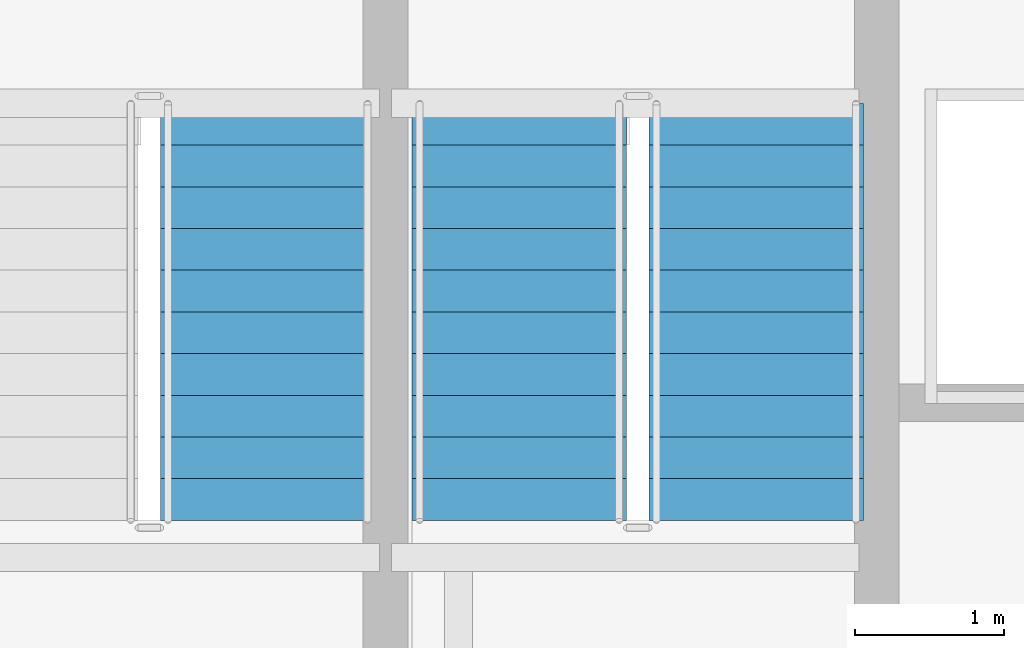
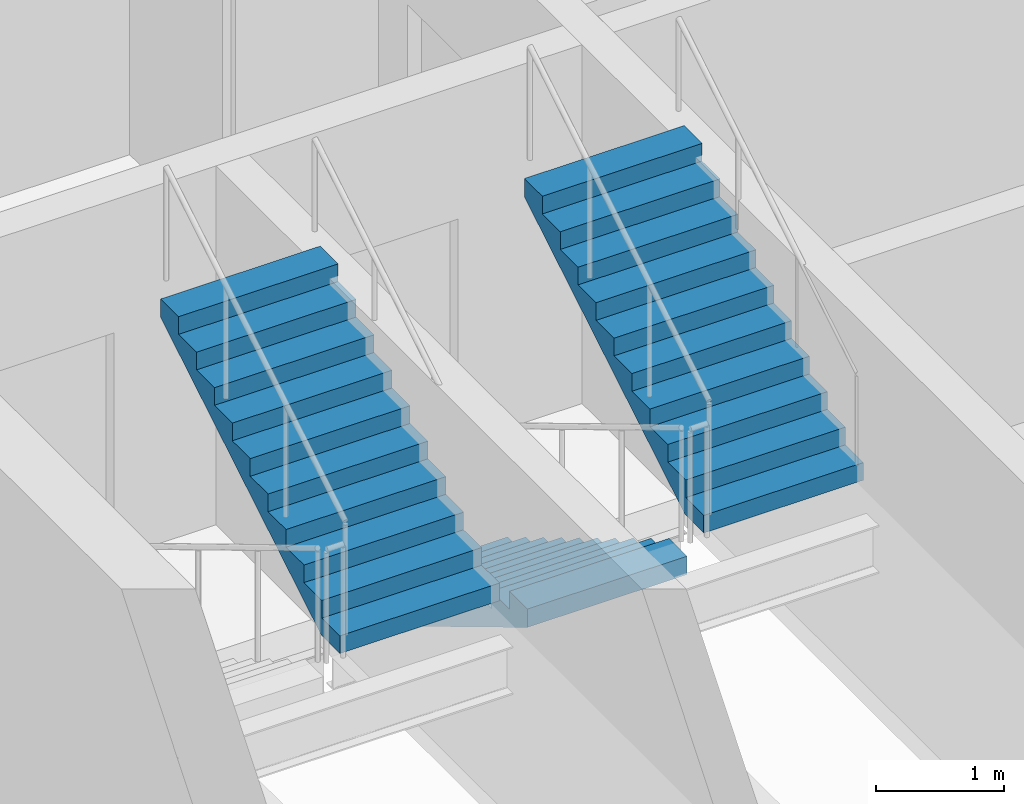
# One storey, part 24 of 29: 3 stair flights, 2 elements without a shape of their own.
"""IFC4 building model written with IfcOpenShell, lengths in metres."""

import ifcopenshell
import ifcopenshell.guid

model = None  # the IFC model being written
_history = None  # IfcOwnerHistory: only IFC2X3 demands one
_inside = {}  # id of a spatial element -> (the spatial element, [elements in it])
_under = {}  # id of a project, library or spatial element -> (it, [spatial elements below it])
_declared = {}  # id of a project -> (the project, [libraries it declares])
_typed = {}  # id of a type object -> (the type object, [elements of that type])
_made_of = {}  # id of a material, layer set ... -> (it, [elements and type objects made of it])


def new_model(schema):
    """Start an empty IFC model of exactly this schema.

    Asked for "IFC4X3", IfcOpenShell would pick the latest addendum, in which some entities
    have other attributes; the version numbers below select the first issue.
    IFC2X3 requires an IfcOwnerHistory on every rooted entity: one is made here for all.
    """
    global model, _history
    if schema == "IFC4X3":
        model = ifcopenshell.file(schema_version=(4, 3, 0, 0))
    else:
        model = ifcopenshell.file(schema=schema)
    _inside.clear()
    _under.clear()
    _declared.clear()
    _typed.clear()
    _made_of.clear()
    _history = None
    if model.schema == "IFC2X3":
        org = make("IfcOrganization", Name="unknown")
        user = make(
            "IfcPersonAndOrganization",
            ThePerson=make("IfcPerson", FamilyName="unknown"),
            TheOrganization=org,
        )
        app = make(
            "IfcApplication",
            ApplicationDeveloper=org,
            Version="unknown",
            ApplicationFullName="unknown",
            ApplicationIdentifier="unknown",
        )
        _history = make(
            "IfcOwnerHistory",
            OwningUser=user,
            OwningApplication=app,
            ChangeAction="ADDED",
            CreationDate=0,
        )
    return model


def make(cls, **values):
    """One entity of the class cls with the attributes given. An attribute that is None is left unset."""
    return model.create_entity(
        cls, **{name: value for name, value in values.items() if value is not None}
    )


def rooted(cls, **values):
    """An entity with a GlobalId (a new one), such as an element, a storey or a relation."""
    return make(cls, GlobalId=ifcopenshell.guid.new(), OwnerHistory=_history, **values)


def si_unit(unit_type, name, prefix=None):
    """IfcSIUnit, for example si_unit("LENGTHUNIT", "METRE", prefix="MILLI")."""
    return make("IfcSIUnit", UnitType=unit_type, Prefix=prefix, Name=name)


def assignment(units):
    """IfcUnitAssignment: the units of a project."""
    return None if units is None else make("IfcUnitAssignment", Units=units)


def point(xyz):
    """IfcCartesianPoint."""
    return None if xyz is None else make("IfcCartesianPoint", Coordinates=xyz)


def direction(xyz):
    """IfcDirection."""
    return None if xyz is None else make("IfcDirection", DirectionRatios=xyz)


def frame(location, z_axis=None, x_axis=None):
    """IfcAxis2Placement3D, a coordinate frame: its origin and axes. An axis left out is left unset."""
    return make(
        "IfcAxis2Placement3D",
        Location=point(location),
        Axis=direction(z_axis),
        RefDirection=direction(x_axis),
    )


def origin():
    """The frame at (0, 0, 0) with its axes left unset."""
    return frame((0.0, 0.0, 0.0))


def place(relative_to, where):
    """IfcLocalPlacement: puts the frame where relative to a parent placement (None: the world)."""
    return make(
        "IfcLocalPlacement", PlacementRelTo=relative_to, RelativePlacement=where
    )


def context(
    kind, dimensions, precision=None, world=None, true_north=None, identifier=None
):
    """IfcGeometricRepresentationContext, for example the 3D "Model" context."""
    return make(
        "IfcGeometricRepresentationContext",
        ContextIdentifier=identifier,
        ContextType=kind,
        CoordinateSpaceDimension=dimensions,
        Precision=precision,
        WorldCoordinateSystem=world,
        TrueNorth=true_north,
    )


def subcontext(parent, identifier, kind, view, scale=None):
    """IfcGeometricRepresentationSubContext, for example "Body" below "Model"."""
    return make(
        "IfcGeometricRepresentationSubContext",
        ContextIdentifier=identifier,
        ContextType=kind,
        ParentContext=parent,
        TargetScale=scale,
        TargetView=view,
    )


def project(units=None, contexts=None):
    """IfcProject with its units and contexts."""
    return rooted(
        "IfcProject",
        Name="project",
        RepresentationContexts=contexts,
        UnitsInContext=assignment(units),
    )


def spatial(cls, under=None, at=None, **own):
    """A site, building, storey or space (cls), placed at a placement, below another one or the project."""
    s = rooted(cls, ObjectPlacement=at, **own)
    if under is not None:
        _under.setdefault(under.id(), (under, []))[1].append(s)
    return s


def polyline(points):
    """IfcPolyline through the points."""
    return make("IfcPolyline", Points=[point(p) for p in points])


def outline(outer, holes=None, kind="AREA"):
    """IfcArbitraryClosedProfileDef: a profile drawn as a closed curve; with holes, ...WithVoids."""
    if holes is None:
        return make("IfcArbitraryClosedProfileDef", ProfileType=kind, OuterCurve=outer)
    return make(
        "IfcArbitraryProfileDefWithVoids",
        ProfileType=kind,
        OuterCurve=outer,
        InnerCurves=holes,
    )


def extrude(swept, where, along, depth):
    """IfcExtrudedAreaSolid: the profile swept, set in the frame where, extruded along a direction by depth."""
    return make(
        "IfcExtrudedAreaSolid",
        SweptArea=swept,
        Position=where,
        ExtrudedDirection=direction(along),
        Depth=depth,
    )


def shape(context_of_items, identifier, shape_type, items):
    """IfcShapeRepresentation: the items that make up one representation, for example the "Body"."""
    return make(
        "IfcShapeRepresentation",
        ContextOfItems=context_of_items,
        RepresentationIdentifier=identifier,
        RepresentationType=shape_type,
        Items=items,
    )


def material(Name=None, Category=None):
    """IfcMaterial."""
    return make("IfcMaterial", Name=Name, Category=Category)


def layer(
    of_material, thickness, ventilated=None, Name=None, Category=None, Priority=None
):
    """IfcMaterialLayer: one layer of a wall or slab, of a material (None: an air gap)."""
    return make(
        "IfcMaterialLayer",
        Material=of_material,
        LayerThickness=thickness,
        IsVentilated=ventilated,
        Name=Name,
        Category=Category,
        Priority=Priority,
    )


def layer_set(layers, Name=None):
    """IfcMaterialLayerSet."""
    return make("IfcMaterialLayerSet", MaterialLayers=layers, LayerSetName=Name)


def made_of(thing, what):
    """Note that an element or type object is made of a material, layer set ...; save() writes the relation."""
    if what is not None:
        _made_of.setdefault(what.id(), (what, []))[1].append(thing)
    return thing


def type_object(cls, material=None, **own):
    """A type object (cls), such as IfcWallType, which elements share."""
    return made_of(rooted(cls, **own), material)


def element(
    cls,
    number,
    at=None,
    inside=None,
    cuts=None,
    type_object=None,
    material=None,
    context=None,
    identifier="Body",
    shape_type=None,
    held_by="IfcProductDefinitionShape",
    body=None,
    shapes=None,
    **own,
):
    """One element of the class cls, such as IfcWall. Its Tag is "e" and its number.

    at: its placement. inside: the storey or other place that contains it. cuts: it is an
    opening in that element (IfcRelVoidsElement). A single representation is given by context,
    identifier, shape_type and body (its items); several are given by shapes. held_by: the class
    of the entity that holds the representations. save() writes the other relations.
    """
    e = rooted(cls, Tag="e%d" % number, ObjectPlacement=at, **own)
    if body is not None:
        shapes = [shape(context, identifier, shape_type, body)]
    if shapes is not None:
        e.Representation = make(held_by, Representations=shapes)
    if inside is not None:
        _inside.setdefault(inside.id(), (inside, []))[1].append(e)
    if cuts is not None:
        rooted(
            "IfcRelVoidsElement", RelatingBuildingElement=cuts, RelatedOpeningElement=e
        )
    if type_object is not None:
        _typed.setdefault(type_object.id(), (type_object, []))[1].append(e)
    return made_of(e, material)


def aggregate(whole, parts):
    """IfcRelAggregates: a whole, such as a stair, and the parts it consists of."""
    return rooted("IfcRelAggregates", RelatingObject=whole, RelatedObjects=parts)


def save(model, path):
    """Write the relations noted so far, then the file.

    IfcRelAggregates (storeys below a building ...), IfcRelContainedInSpatialStructure (elements
    in a storey), IfcRelDefinesByType, IfcRelAssociatesMaterial and IfcRelDeclares: one each for
    every whole, place, type object, material and project.
    """
    for whole, parts in _under.values():
        aggregate(whole, parts)
    for where, things in _inside.values():
        rooted(
            "IfcRelContainedInSpatialStructure",
            RelatedElements=things,
            RelatingStructure=where,
        )
    for kind, things in _typed.values():
        rooted("IfcRelDefinesByType", RelatedObjects=things, RelatingType=kind)
    for what, things in _made_of.values():
        rooted("IfcRelAssociatesMaterial", RelatedObjects=things, RelatingMaterial=what)
    for by, libraries in _declared.values():
        rooted("IfcRelDeclares", RelatingContext=by, RelatedDefinitions=libraries)
    model.write(path)


model = new_model("IFC4")

# Units and contexts
model_context = context("Model", 3, precision=1e-05, world=origin(), true_north=direction((0.0, 1.0)))
body_context = subcontext(model_context, "Body", "Model", "MODEL_VIEW")
ifc_project = project(units=[si_unit("LENGTHUNIT", "METRE"), si_unit("AREAUNIT", "SQUARE_METRE"), si_unit("VOLUMEUNIT", "CUBIC_METRE"), si_unit("PLANEANGLEUNIT", "RADIAN"), si_unit("MASSUNIT", "GRAM", prefix="KILO")], contexts=[model_context])

# Site, building, storey
site_placement = place(None, origin())
site = spatial("IfcSite", under=ifc_project, at=site_placement, CompositionType="ELEMENT")
building_placement = place(site_placement, origin())
building = spatial("IfcBuilding", under=site, at=building_placement, Name="Solvaryn Broadcast Tower", CompositionType="ELEMENT")
storey_placement = place(building_placement, frame((0.0, 0.0, 143.300048828125)))
storey = spatial("IfcBuildingStorey", under=building, at=storey_placement, Name="L35", CompositionType="ELEMENT", Elevation=143.300048828125)

# Stair, stair flight
ifc_material_1 = material(Name="Concrete f'c 60 MPa", Category="concrete")
stair_type = type_object("IfcStairType", Name="ST-CORE", PredefinedType="HALF_TURN_STAIR", material=ifc_material_1)
stair_1_placement = place(storey_placement, origin())
stair_1 = element("IfcStair", 1, at=stair_1_placement, inside=storey, type_object=stair_type, Name="L35 ST1", PredefinedType="HALF_TURN_STAIR")
ifc_material_2 = material(Name="Concrete f'c 60 MPa", Category="concrete")
ifc_layer = layer(ifc_material_2, 0.159912109375)
ifc_layer_set = layer_set([ifc_layer], Name="SF-CORE")
stair_flight_type = type_object("IfcStairFlightType", Name="SF-CORE", PredefinedType="STRAIGHT", material=ifc_layer_set)
stair_flight_1_placement = place(storey_placement, frame((13.830078125, 33.159912109375, 1.849853515625), z_axis=(0.0, 0.0, 1.0), x_axis=(0.0, 1.0, 0.0)))
stair_flight_1 = element("IfcStairFlight", 2, at=stair_flight_1_placement, type_object=stair_flight_type, Name="ST1 flight 2", NumberOfRisers=11, NumberOfTreads=10, PredefinedType="STRAIGHT", RiserHeight=0.168181818, TreadLength=0.28, context=body_context, shape_type="SweptSolid", body=[
    extrude(outline(polyline([(0.0, 0.0), (0.0, 0.168212890625), (0.280029296875, 0.168212890625), (0.280029296875, 0.33642578125), (0.56005859375, 0.33642578125), (0.56005859375, 0.504638671875), (0.840087890625, 0.504638671875), (0.840087890625, 0.672607421875), (1.1201171875, 0.672607421875), (1.1201171875, 0.8408203125), (1.39990234375, 0.8408203125), (1.39990234375, 1.009033203125), (1.679931640625, 1.009033203125), (1.679931640625, 1.17724609375), (1.9599609375, 1.17724609375), (1.9599609375, 1.345458984375), (2.239990234375, 1.345458984375), (2.239990234375, 1.513671875), (2.52001953125, 1.513671875), (2.52001953125, 1.681884765625), (2.800048828125, 1.681884765625), (2.800048828125, 1.85009765625), (2.800048828125, 1.5068359375), (0.291015625, 0.0), (0.0, 0.0)])), frame((0.0, 0.719970703125, 0.0), z_axis=(0.0, -1.0, 0.0), x_axis=(1.0, 0.0, 0.0)), (0.0, 0.0, 1.0), 1.43994140625),
])
aggregate(stair_1, [stair_flight_1])

# Stair, stair flights
stair_2_placement = place(storey_placement, origin())
stair_2 = element("IfcStair", 3, at=stair_2_placement, inside=storey, type_object=stair_type, Name="L35 ST2", PredefinedType="HALF_TURN_STAIR")
stair_flight_2_placement = place(storey_placement, frame((15.52001953125, 35.9599609375, 0.0), z_axis=(0.0, 0.0, 1.0), x_axis=(0.0, -1.0, 0.0)))
stair_flight_2 = element("IfcStairFlight", 4, at=stair_flight_2_placement, type_object=stair_flight_type, Name="ST2 flight 1", NumberOfRisers=11, NumberOfTreads=10, PredefinedType="STRAIGHT", RiserHeight=0.168181818, TreadLength=0.28, context=body_context, shape_type="SweptSolid", body=[
    extrude(outline(polyline([(0.0, 0.0), (0.0, 0.168212890625), (0.280029296875, 0.168212890625), (0.280029296875, 0.33642578125), (0.56005859375, 0.33642578125), (0.56005859375, 0.504638671875), (0.840087890625, 0.504638671875), (0.840087890625, 0.672607421875), (1.1201171875, 0.672607421875), (1.1201171875, 0.8408203125), (1.39990234375, 0.8408203125), (1.39990234375, 1.009033203125), (1.679931640625, 1.009033203125), (1.679931640625, 1.17724609375), (1.9599609375, 1.17724609375), (1.9599609375, 1.345458984375), (2.239990234375, 1.345458984375), (2.239990234375, 1.513671875), (2.52001953125, 1.513671875), (2.52001953125, 1.681884765625), (2.800048828125, 1.681884765625), (2.800048828125, 1.85009765625), (2.800048828125, 1.5068359375), (0.291015625, 0.0), (0.0, 0.0)])), frame((0.0, 0.719970703125, 0.0), z_axis=(0.0, -1.0, 0.0), x_axis=(1.0, 0.0, 0.0)), (0.0, 0.0, 1.0), 1.43994140625),
])
stair_flight_3_placement = place(storey_placement, frame((17.110107421875, 33.159912109375, 1.849853515625), z_axis=(0.0, 0.0, 1.0), x_axis=(0.0, 1.0, 0.0)))
stair_flight_3 = element("IfcStairFlight", 5, at=stair_flight_3_placement, type_object=stair_flight_type, Name="ST2 flight 2", NumberOfRisers=11, NumberOfTreads=10, PredefinedType="STRAIGHT", RiserHeight=0.168181818, TreadLength=0.28, context=body_context, shape_type="SweptSolid", body=[
    extrude(outline(polyline([(0.0, 0.0), (0.0, 0.168212890625), (0.280029296875, 0.168212890625), (0.280029296875, 0.33642578125), (0.56005859375, 0.33642578125), (0.56005859375, 0.504638671875), (0.840087890625, 0.504638671875), (0.840087890625, 0.672607421875), (1.1201171875, 0.672607421875), (1.1201171875, 0.8408203125), (1.39990234375, 0.8408203125), (1.39990234375, 1.009033203125), (1.679931640625, 1.009033203125), (1.679931640625, 1.17724609375), (1.9599609375, 1.17724609375), (1.9599609375, 1.345458984375), (2.239990234375, 1.345458984375), (2.239990234375, 1.513671875), (2.52001953125, 1.513671875), (2.52001953125, 1.681884765625), (2.800048828125, 1.681884765625), (2.800048828125, 1.85009765625), (2.800048828125, 1.5068359375), (0.291015625, 0.0), (0.0, 0.0)])), frame((0.0, 0.719970703125, 0.0), z_axis=(0.0, -1.0, 0.0), x_axis=(1.0, 0.0, 0.0)), (0.0, 0.0, 1.0), 1.43994140625),
])
aggregate(stair_2, [stair_flight_2, stair_flight_3])

save(model, "model.ifc")
